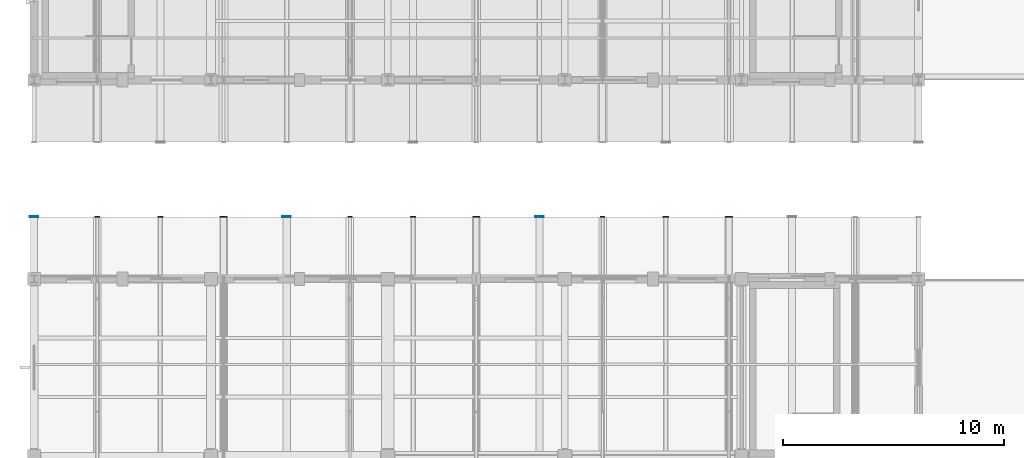
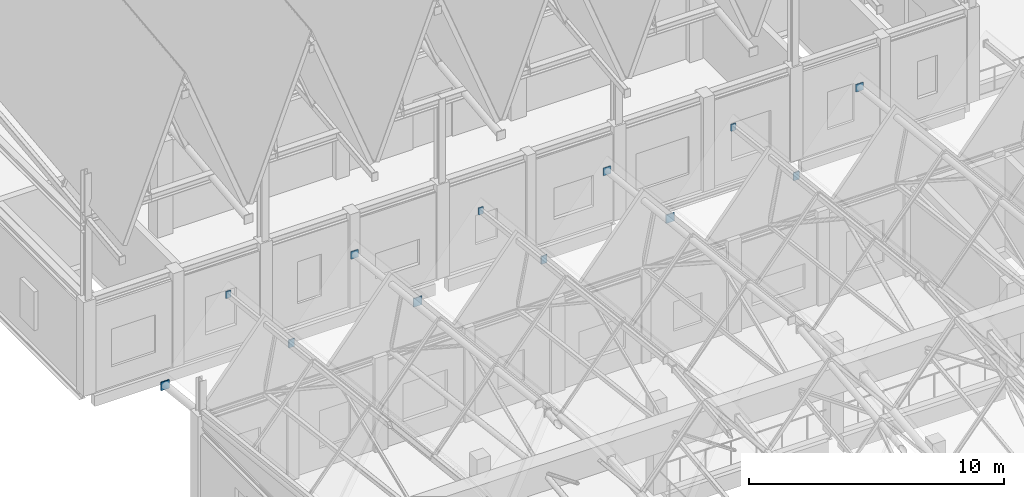
# One storey, part 55 of 77: 12 discrete accessories.
"""IFC4 building model written with IfcOpenShell, lengths in metres."""

from ifc_helpers import new_model, si_unit, direction, frame, origin, origin_2d, place, context, subcontext, project, spatial, rectangle, extrude, material, type_object, element, save


model = new_model("IFC4")

# Units and contexts
model_context = context("Model", 3, precision=1e-05, world=origin(), true_north=direction((0.0, 1.0)))
body_context = subcontext(model_context, "Body", "Model", "MODEL_VIEW")
ifc_project = project(units=[si_unit("LENGTHUNIT", "METRE"), si_unit("AREAUNIT", "SQUARE_METRE"), si_unit("VOLUMEUNIT", "CUBIC_METRE"), si_unit("PLANEANGLEUNIT", "RADIAN"), si_unit("MASSUNIT", "GRAM", prefix="KILO")], contexts=[model_context])

# Site, building, storey
site_placement = place(None, origin())
site = spatial("IfcSite", under=ifc_project, at=site_placement, CompositionType="ELEMENT")
building_placement = place(site_placement, origin())
building = spatial("IfcBuilding", under=site, at=building_placement, Name="Luwemba Playhouse", CompositionType="ELEMENT")
storey_placement = place(building_placement, frame((0.0, 0.0, 9.300048828125)))
storey = spatial("IfcBuildingStorey", under=building, at=storey_placement, Name="L02", CompositionType="ELEMENT", Elevation=9.300048828125)

# Discrete accessories
ifc_material = material(Name="Steel S355", Category="steel")
discrete_accessory_type = type_object("IfcDiscreteAccessoryType", Name="ACC-ENDCAP-S355", PredefinedType="BRACKET", material=ifc_material)
discrete_accessory_1_placement = place(storey_placement, frame((4.0, 29.81494140625, 3.845703125), z_axis=(0.0, 0.0, 1.0), x_axis=(1.0, 0.0, 0.0)))
element("IfcDiscreteAccessory", 1, at=discrete_accessory_1_placement, inside=storey, type_object=discrete_accessory_type, Name="Welded RHS end cap plate 0320", PredefinedType="BRACKET", context=body_context, shape_type="SweptSolid", body=[
    extrude(rectangle(XDim=0.384033203125, YDim=0.044921875, at=origin_2d()), origin(), (0.0, 0.0, 1.0), 0.404052734375),
])
discrete_accessory_2_placement = place(storey_placement, frame((6.857177734375, 29.81494140625, 7.224609375), z_axis=(0.0, 0.0, 1.0), x_axis=(1.0, 0.0, 0.0)))
element("IfcDiscreteAccessory", 2, at=discrete_accessory_2_placement, inside=storey, type_object=discrete_accessory_type, Name="Welded RHS end cap plate 0324", PredefinedType="BRACKET", context=body_context, shape_type="SweptSolid", body=[
    extrude(rectangle(XDim=0.2099609375, YDim=0.044921875, at=origin_2d()), origin(), (0.0, 0.0, 1.0), 0.330078125),
])
discrete_accessory_3_placement = place(storey_placement, frame((9.71435546875, 29.81494140625, 3.86962890625), z_axis=(0.0, 0.0, 1.0), x_axis=(1.0, 0.0, 0.0)))
element("IfcDiscreteAccessory", 3, at=discrete_accessory_3_placement, inside=storey, type_object=discrete_accessory_type, Name="Welded RHS end cap plate 0328", PredefinedType="BRACKET", context=body_context, shape_type="SweptSolid", body=[
    extrude(rectangle(XDim=0.260009765625, YDim=0.044921875, at=origin_2d()), origin(), (0.0, 0.0, 1.0), 0.3798828125),
])
discrete_accessory_4_placement = place(storey_placement, frame((12.5712890625, 29.81494140625, 7.127197265625), z_axis=(0.0, 0.0, 1.0), x_axis=(1.0, 0.0, 0.0)))
element("IfcDiscreteAccessory", 4, at=discrete_accessory_4_placement, inside=storey, type_object=discrete_accessory_type, Name="Welded RHS end cap plate 0332", PredefinedType="BRACKET", context=body_context, shape_type="SweptSolid", body=[
    extrude(rectangle(XDim=0.3330078125, YDim=0.044921875, at=origin_2d()), origin(), (0.0, 0.0, 1.0), 0.35302734375),
])
discrete_accessory_5_placement = place(storey_placement, frame((15.4287109375, 29.81494140625, 3.845703125), z_axis=(0.0, 0.0, 1.0), x_axis=(1.0, 0.0, 0.0)))
element("IfcDiscreteAccessory", 5, at=discrete_accessory_5_placement, inside=storey, type_object=discrete_accessory_type, Name="Welded RHS end cap plate 0336", PredefinedType="BRACKET", context=body_context, shape_type="SweptSolid", body=[
    extrude(rectangle(XDim=0.384033203125, YDim=0.044921875, at=origin_2d()), origin(), (0.0, 0.0, 1.0), 0.404052734375),
])
discrete_accessory_6_placement = place(storey_placement, frame((18.28564453125, 29.81494140625, 7.224609375), z_axis=(0.0, 0.0, 1.0), x_axis=(1.0, 0.0, 0.0)))
element("IfcDiscreteAccessory", 6, at=discrete_accessory_6_placement, inside=storey, type_object=discrete_accessory_type, Name="Welded RHS end cap plate 0340", PredefinedType="BRACKET", context=body_context, shape_type="SweptSolid", body=[
    extrude(rectangle(XDim=0.2099609375, YDim=0.044921875, at=origin_2d()), origin(), (0.0, 0.0, 1.0), 0.330078125),
])
discrete_accessory_7_placement = place(storey_placement, frame((21.142822265625, 29.81494140625, 3.86962890625), z_axis=(0.0, 0.0, 1.0), x_axis=(1.0, 0.0, 0.0)))
element("IfcDiscreteAccessory", 7, at=discrete_accessory_7_placement, inside=storey, type_object=discrete_accessory_type, Name="Welded RHS end cap plate 0344", PredefinedType="BRACKET", context=body_context, shape_type="SweptSolid", body=[
    extrude(rectangle(XDim=0.260009765625, YDim=0.044921875, at=origin_2d()), origin(), (0.0, 0.0, 1.0), 0.3798828125),
])
discrete_accessory_8_placement = place(storey_placement, frame((24.0, 29.81494140625, 7.127197265625), z_axis=(0.0, 0.0, 1.0), x_axis=(1.0, 0.0, 0.0)))
element("IfcDiscreteAccessory", 8, at=discrete_accessory_8_placement, inside=storey, type_object=discrete_accessory_type, Name="Welded RHS end cap plate 0348", PredefinedType="BRACKET", context=body_context, shape_type="SweptSolid", body=[
    extrude(rectangle(XDim=0.3330078125, YDim=0.044921875, at=origin_2d()), origin(), (0.0, 0.0, 1.0), 0.35302734375),
])
discrete_accessory_9_placement = place(storey_placement, frame((26.857177734375, 29.81494140625, 3.845703125), z_axis=(0.0, 0.0, 1.0), x_axis=(1.0, 0.0, 0.0)))
element("IfcDiscreteAccessory", 9, at=discrete_accessory_9_placement, inside=storey, type_object=discrete_accessory_type, Name="Welded RHS end cap plate 0352", PredefinedType="BRACKET", context=body_context, shape_type="SweptSolid", body=[
    extrude(rectangle(XDim=0.384033203125, YDim=0.044921875, at=origin_2d()), origin(), (0.0, 0.0, 1.0), 0.404052734375),
])
discrete_accessory_10_placement = place(storey_placement, frame((29.71435546875, 29.81494140625, 7.224609375), z_axis=(0.0, 0.0, 1.0), x_axis=(1.0, 0.0, 0.0)))
element("IfcDiscreteAccessory", 10, at=discrete_accessory_10_placement, inside=storey, type_object=discrete_accessory_type, Name="Welded RHS end cap plate 0356", PredefinedType="BRACKET", context=body_context, shape_type="SweptSolid", body=[
    extrude(rectangle(XDim=0.2099609375, YDim=0.044921875, at=origin_2d()), origin(), (0.0, 0.0, 1.0), 0.330078125),
])
discrete_accessory_11_placement = place(storey_placement, frame((32.5712890625, 29.81494140625, 3.86962890625), z_axis=(0.0, 0.0, 1.0), x_axis=(1.0, 0.0, 0.0)))
element("IfcDiscreteAccessory", 11, at=discrete_accessory_11_placement, inside=storey, type_object=discrete_accessory_type, Name="Welded RHS end cap plate 0360", PredefinedType="BRACKET", context=body_context, shape_type="SweptSolid", body=[
    extrude(rectangle(XDim=0.260009765625, YDim=0.044921875, at=origin_2d()), origin(), (0.0, 0.0, 1.0), 0.3798828125),
])
discrete_accessory_12_placement = place(storey_placement, frame((35.4287109375, 29.81494140625, 7.127197265625), z_axis=(0.0, 0.0, 1.0), x_axis=(1.0, 0.0, 0.0)))
element("IfcDiscreteAccessory", 12, at=discrete_accessory_12_placement, inside=storey, type_object=discrete_accessory_type, Name="Welded RHS end cap plate 0364", PredefinedType="BRACKET", context=body_context, shape_type="SweptSolid", body=[
    extrude(rectangle(XDim=0.3330078125, YDim=0.044921875, at=origin_2d()), origin(), (0.0, 0.0, 1.0), 0.35302734375),
])

save(model, "model.ifc")
